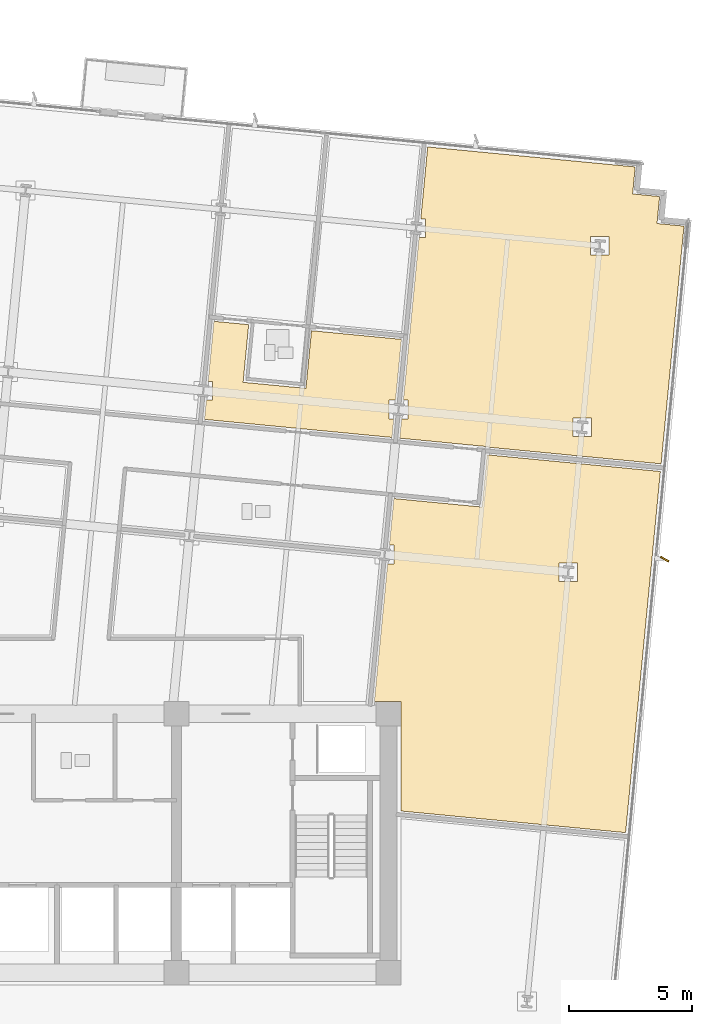
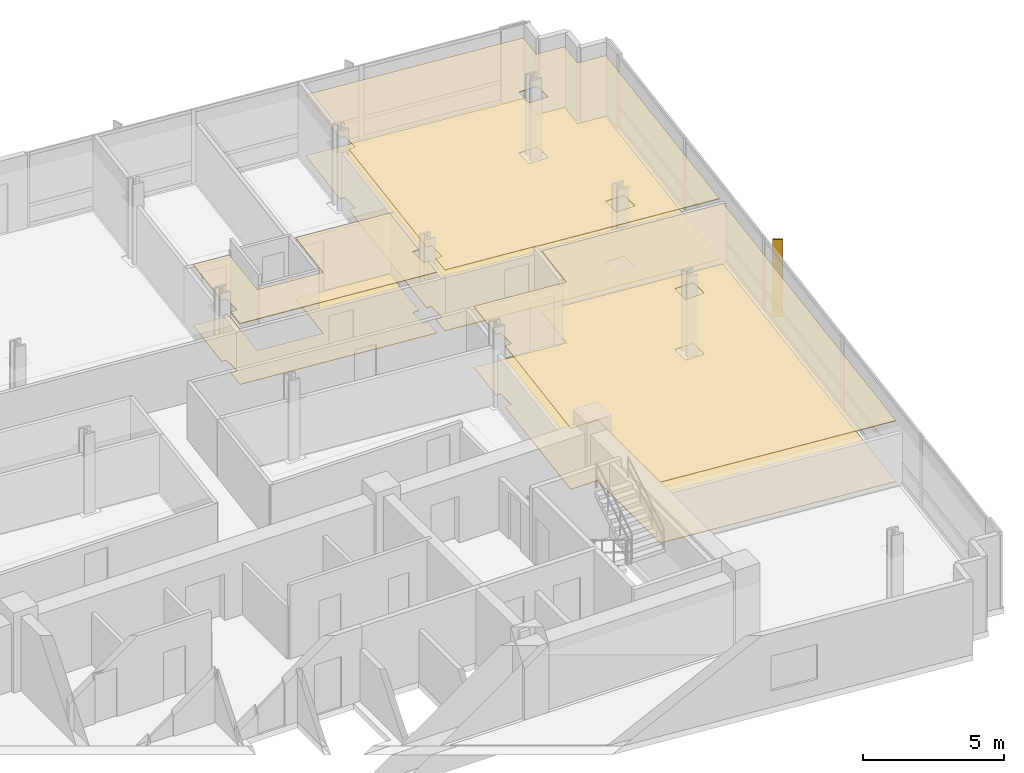
# One storey, part 15 of 17: 6 coverings, 1 shading device.
"""IFC4 building model written with IfcOpenShell, lengths in metres."""

from ifc_helpers import new_model, si_unit, direction, frame, origin, origin_2d, place, context, subcontext, project, spatial, polyline, rectangle, outline, extrude, material, layer, layer_set, type_object, element, save


model = new_model("IFC4")

# Units and contexts
model_context = context("Model", 3, precision=1e-05, world=origin(), true_north=direction((0.0, 1.0)))
body_context = subcontext(model_context, "Body", "Model", "MODEL_VIEW")
ifc_project = project(units=[si_unit("LENGTHUNIT", "METRE"), si_unit("AREAUNIT", "SQUARE_METRE"), si_unit("VOLUMEUNIT", "CUBIC_METRE"), si_unit("PLANEANGLEUNIT", "RADIAN"), si_unit("MASSUNIT", "GRAM", prefix="KILO")], contexts=[model_context])

# Site, building, storey
site_placement = place(None, origin())
site = spatial("IfcSite", under=ifc_project, at=site_placement, CompositionType="ELEMENT")
building_placement = place(site_placement, origin())
building = spatial("IfcBuilding", under=site, at=building_placement, Name="Solmavex Isthmus Hotel", CompositionType="ELEMENT")
storey_placement = place(building_placement, frame((0.0, 0.0, 163.5)))
storey = spatial("IfcBuildingStorey", under=building, at=storey_placement, Name="L44", CompositionType="ELEMENT", Elevation=163.5)

# Coverings
ifc_material_1 = material(Name="Gypsum plasterboard lining", Category="gypsum")
ifc_layer_1 = layer(ifc_material_1, 0.030029296875)
ifc_layer_set_1 = layer_set([ifc_layer_1], Name="Gypsum plasterboard lining")
covering_type_1 = type_object("IfcCoveringType", Name="COV-CEIL-GYP", PredefinedType="CEILING", material=ifc_layer_set_1)
covering_1_placement = place(storey_placement, frame((0.0, 0.0, 2.6201171875)))
element("IfcCovering", 1, at=covering_1_placement, inside=storey, type_object=covering_type_1, Name="Suspended Acoustic Ceiling L44-SH03-LV", PredefinedType="CEILING", context=body_context, shape_type="SweptSolid", body=[
    extrude(outline(polyline([(12.87353515625, 13.04443359375), (12.6484375, 10.705078125), (10.10009765625, 10.950439453125), (10.325439453125, 13.289794921875), (8.913818359375, 13.425537109375), (8.67919921875, 10.988525390625), (8.866943359375, 10.988525390625), (8.866943359375, 10.228515625), (8.60595703125, 10.228515625), (8.53076171875, 9.446044921875), (16.1416015625, 8.713134765625), (16.2138671875, 9.466064453125), (16.0263671875, 9.466064453125), (16.0263671875, 10.22607421875), (16.287109375, 10.22607421875), (16.524658203125, 12.69287109375), (12.87353515625, 13.04443359375)])), origin(), (0.0, 0.0, 1.0), 0.02978515625),
])
covering_2_placement = place(storey_placement, frame((0.0, 0.0, 2.6201171875)))
element("IfcCovering", 2, at=covering_2_placement, inside=storey, type_object=covering_type_1, Name="Suspended Acoustic Ceiling L44-RM04", PredefinedType="CEILING", context=body_context, shape_type="SweptSolid", body=[
    extrude(outline(polyline([(17.30712890625, 17.583984375), (17.494873046875, 17.583984375), (17.494873046875, 16.823974609375), (17.23388671875, 16.823974609375), (17.139404296875, 15.841552734375), (16.5986328125, 10.22607421875), (16.786376953125, 10.22607421875), (16.786376953125, 9.466064453125), (16.525390625, 9.466064453125), (16.449951171875, 8.68359375), (20.033447265625, 8.33837890625), (20.031494140625, 8.318603515625), (27.05712890625, 7.64208984375), (27.90673828125, 16.46630859375), (27.98583984375, 17.287353515625), (26.890869140625, 17.392822265625), (26.996337890625, 18.48779296875), (25.9013671875, 18.59326171875), (26.0068359375, 19.688232421875), (25.185546875, 19.767333984375), (17.587646484375, 20.498779296875), (17.30712890625, 17.583984375)]), holes=[polyline([(24.188232421875, 16.106201171875), (24.188232421875, 16.8662109375), (24.9482421875, 16.8662109375), (24.9482421875, 16.106201171875), (24.188232421875, 16.106201171875)]), polyline([(23.479736328125, 8.748291015625), (23.479736328125, 9.50830078125), (24.23974609375, 9.50830078125), (24.23974609375, 8.748291015625), (23.479736328125, 8.748291015625)])]), origin(), (0.0, 0.0, 1.0), 0.02978515625),
])
covering_3_placement = place(storey_placement, frame((0.0, 0.0, 2.6201171875)))
element("IfcCovering", 3, at=covering_3_placement, inside=storey, type_object=covering_type_1, Name="Suspended Acoustic Ceiling L44-FL09", PredefinedType="CEILING", context=body_context, shape_type="SweptSolid", body=[
    extrude(outline(polyline([(16.0322265625, 4.34521484375), (16.219970703125, 4.34521484375), (16.219970703125, 3.585205078125), (15.959228515625, 3.585205078125), (15.421875, -1.9951171875), (16.5048828125, -1.9951171875), (16.5048828125, -6.44140625), (25.616455078125, -7.31884765625), (25.99462890625, -3.391845703125), (26.603271484375, 2.928955078125), (27.02734375, 7.33349609375), (20.001953125, 8.010009765625), (19.797607421875, 5.8896484375), (16.21435546875, 6.23486328125), (16.0322265625, 4.34521484375)]), holes=[polyline([(22.91357421875, 2.867431640625), (22.91357421875, 3.62744140625), (23.673583984375, 3.62744140625), (23.673583984375, 2.867431640625), (22.91357421875, 2.867431640625)])]), origin(), (0.0, 0.0, 1.0), 0.02978515625),
])
ifc_material_2 = material(Name="Travertine natural stone", Category="masonry")
ifc_layer_2 = layer(ifc_material_2, 0.02490234375)
ifc_layer_set_2 = layer_set([ifc_layer_2], Name="Travertine natural stone")
covering_type_2 = type_object("IfcCoveringType", Name="COV-FLOR-STN", PredefinedType="FLOORING", material=ifc_layer_set_2)
covering_4_placement = place(storey_placement, origin())
element("IfcCovering", 4, at=covering_4_placement, inside=storey, type_object=covering_type_2, Name="Stone and Timber Floor Finish L44-SH03-LV", PredefinedType="FLOORING", context=body_context, shape_type="SweptSolid", body=[
    extrude(outline(polyline([(12.87353515625, 13.04443359375), (12.6484375, 10.705078125), (10.10009765625, 10.950439453125), (10.325439453125, 13.289794921875), (8.913818359375, 13.425537109375), (8.67919921875, 10.988525390625), (8.866943359375, 10.988525390625), (8.866943359375, 10.228515625), (8.60595703125, 10.228515625), (8.53076171875, 9.446044921875), (16.1416015625, 8.713134765625), (16.2138671875, 9.466064453125), (16.0263671875, 9.466064453125), (16.0263671875, 10.22607421875), (16.287109375, 10.22607421875), (16.524658203125, 12.69287109375), (12.87353515625, 13.04443359375)])), origin(), (0.0, 0.0, 1.0), 0.02490234375),
])
covering_5_placement = place(storey_placement, origin())
element("IfcCovering", 5, at=covering_5_placement, inside=storey, type_object=covering_type_2, Name="Stone and Timber Floor Finish L44-RM04", PredefinedType="FLOORING", context=body_context, shape_type="SweptSolid", body=[
    extrude(outline(polyline([(17.30712890625, 17.583984375), (17.494873046875, 17.583984375), (17.494873046875, 16.823974609375), (17.23388671875, 16.823974609375), (17.139404296875, 15.841552734375), (16.5986328125, 10.22607421875), (16.786376953125, 10.22607421875), (16.786376953125, 9.466064453125), (16.525390625, 9.466064453125), (16.449951171875, 8.68359375), (20.033447265625, 8.33837890625), (20.031494140625, 8.318603515625), (27.05712890625, 7.64208984375), (27.90673828125, 16.46630859375), (27.98583984375, 17.287353515625), (26.890869140625, 17.392822265625), (26.996337890625, 18.48779296875), (25.9013671875, 18.59326171875), (26.0068359375, 19.688232421875), (25.185546875, 19.767333984375), (17.587646484375, 20.498779296875), (17.30712890625, 17.583984375)]), holes=[polyline([(24.188232421875, 16.106201171875), (24.188232421875, 16.8662109375), (24.9482421875, 16.8662109375), (24.9482421875, 16.106201171875), (24.188232421875, 16.106201171875)]), polyline([(23.479736328125, 8.748291015625), (23.479736328125, 9.50830078125), (24.23974609375, 9.50830078125), (24.23974609375, 8.748291015625), (23.479736328125, 8.748291015625)])]), origin(), (0.0, 0.0, 1.0), 0.02490234375),
])
covering_6_placement = place(storey_placement, origin())
element("IfcCovering", 6, at=covering_6_placement, inside=storey, type_object=covering_type_2, Name="Stone and Timber Floor Finish L44-FL09", PredefinedType="FLOORING", context=body_context, shape_type="SweptSolid", body=[
    extrude(outline(polyline([(16.0322265625, 4.34521484375), (16.219970703125, 4.34521484375), (16.219970703125, 3.585205078125), (15.959228515625, 3.585205078125), (15.421875, -1.9951171875), (16.5048828125, -1.9951171875), (16.5048828125, -6.44140625), (25.616455078125, -7.31884765625), (25.99462890625, -3.391845703125), (26.603271484375, 2.928955078125), (27.02734375, 7.33349609375), (20.001953125, 8.010009765625), (19.797607421875, 5.8896484375), (16.21435546875, 6.23486328125), (16.0322265625, 4.34521484375)]), holes=[polyline([(22.91357421875, 2.867431640625), (22.91357421875, 3.62744140625), (23.673583984375, 3.62744140625), (23.673583984375, 2.867431640625), (22.91357421875, 2.867431640625)])]), origin(), (0.0, 0.0, 1.0), 0.02490234375),
])

# Shading device
ifc_material_3 = material(Name="Aluminium alloy 6063-T6", Category="aluminium")
shading_device_type = type_object("IfcShadingDeviceType", Name="SHD-FIN-CHAMP", PredefinedType="USERDEFINED", material=ifc_material_3)
shading_device_placement = place(storey_placement, frame((27.2021484375, 3.775390625, -0.14013671875), z_axis=(0.0, 0.0, 1.0), x_axis=(0.87035569594, -0.492423560103, 0.0)))
element("IfcShadingDevice", 7, at=shading_device_placement, inside=storey, type_object=shading_device_type, Name="Anodised Aluminium Solar Fin L44-E1", ObjectType="SOLAR_FIN", PredefinedType="USERDEFINED", context=body_context, shape_type="SweptSolid", body=[
    extrude(rectangle(XDim=0.3798828125, YDim=0.070068359375, at=origin_2d()), origin(), (0.0, 0.0, 1.0), 3.330078125),
])

save(model, "model.ifc")
